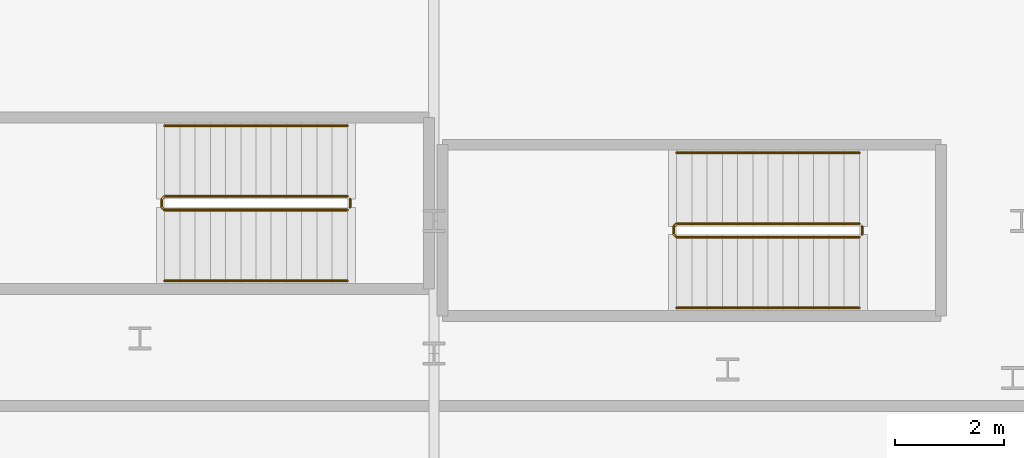
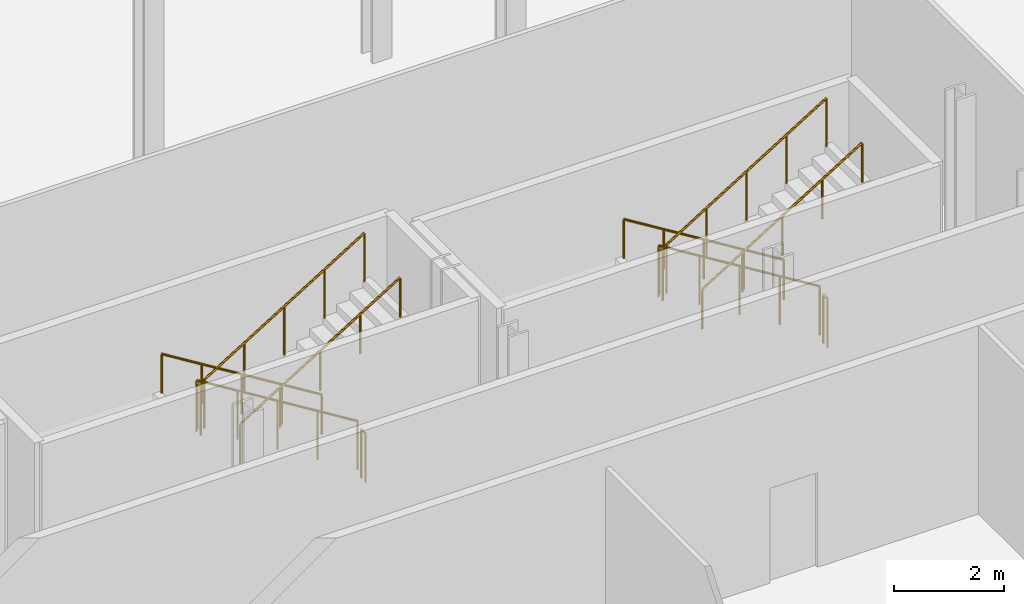
# One storey, part 41 of 47: 8 railings.
"""IFC4 building model written with IfcOpenShell, lengths in metres."""

from ifc_helpers import new_model, si_unit, direction, frame, origin, origin_2d, place, context, subcontext, project, spatial, circle, extrude, material, type_object, element, save


model = new_model("IFC4")

# Units and contexts
model_context = context("Model", 3, precision=1e-05, world=origin(), true_north=direction((0.0, 1.0)))
body_context = subcontext(model_context, "Body", "Model", "MODEL_VIEW")
ifc_project = project(units=[si_unit("LENGTHUNIT", "METRE"), si_unit("AREAUNIT", "SQUARE_METRE"), si_unit("VOLUMEUNIT", "CUBIC_METRE"), si_unit("PLANEANGLEUNIT", "RADIAN"), si_unit("MASSUNIT", "GRAM", prefix="KILO")], contexts=[model_context])

# Site, building, storey
site_placement = place(None, origin())
site = spatial("IfcSite", under=ifc_project, at=site_placement, CompositionType="ELEMENT")
building_placement = place(site_placement, origin())
building = spatial("IfcBuilding", under=site, at=building_placement, Name="Kheshtan School and Residences Tower", CompositionType="ELEMENT")
storey_placement = place(building_placement, frame((0.0, 0.0, 17.0)))
storey = spatial("IfcBuildingStorey", under=building, at=storey_placement, Name="L03", CompositionType="ELEMENT", Elevation=17.0)

# Railings
ifc_material_1 = material(Name="Stainless steel balustrade", Category="steel")
railing_type_1 = type_object("IfcRailingType", Name="Stair guard 1100", PredefinedType="GUARDRAIL", material=ifc_material_1)
railing_1_placement = place(storey_placement, frame((87.820068359375, 23.949951171875, 0.173095703125)))
element("IfcRailing", 1, at=railing_1_placement, inside=storey, type_object=railing_type_1, Name="L03 ST4 stair guard 1", PredefinedType="GUARDRAIL", context=body_context, shape_type="SweptSolid", body=[
    extrude(circle(Radius=0.02392578125, at=origin_2d()), frame((0.0, 0.0, 1.076171875), z_axis=(-0.850623216509, 0.0, 0.525775754039), x_axis=(0.0, -1.0, 0.0)), (0.0, 0.0, 1.0), 3.9501953125),
    extrude(circle(Radius=0.02392578125, at=origin_2d()), frame((-3.360107421875, 0.0, 3.15283203125), z_axis=(-0.707106781187, -0.707106781187, 0.0), x_axis=(0.707106781187, -0.707106781187, 0.0)), (0.0, 0.0, 1.0), 0.07080078125),
    extrude(circle(Radius=0.02392578125, at=origin_2d()), frame((-3.41015625, -0.050048828125, 3.15283203125), z_axis=(0.0, -1.0, 0.0), x_axis=(1.0, 0.0, 0.0)), (0.0, 0.0, 1.0), 0.14990234375),
    extrude(circle(Radius=0.02392578125, at=origin_2d()), frame((-3.41015625, -0.199951171875, 3.15283203125), z_axis=(0.267629722418, -0.267629722418, 0.925607186314), x_axis=(0.707106781187, 0.707106781187, 0.0)), (0.0, 0.0, 1.0), 0.18701171875),
    extrude(circle(Radius=0.02392578125, at=origin_2d()), frame((-3.360107421875, -0.25, 3.326171875), z_axis=(0.850623216509, 0.0, 0.525775754039), x_axis=(0.0, 1.0, 0.0)), (0.0, 0.0, 1.0), 3.9501953125),
    extrude(circle(Radius=0.02099609375, at=origin_2d()), origin(), (0.0, 0.0, 1.0), 1.052001953125),
    extrude(circle(Radius=0.02099609375, at=origin_2d()), frame((-0.840087890625, 0.0, 0.519287109375)), (0.0, 0.0, 1.0), 1.052001953125),
    extrude(circle(Radius=0.02099609375, at=origin_2d()), frame((-1.68017578125, 0.0, 1.03857421875)), (0.0, 0.0, 1.0), 1.052001953125),
    extrude(circle(Radius=0.02099609375, at=origin_2d()), frame((-2.52001953125, 0.0, 1.5576171875)), (0.0, 0.0, 1.0), 1.052001953125),
    extrude(circle(Radius=0.02099609375, at=origin_2d()), frame((-3.360107421875, 0.0, 2.076904296875)), (0.0, 0.0, 1.0), 1.052001953125),
    extrude(circle(Radius=0.02099609375, at=origin_2d()), frame((-3.41015625, -0.050048828125, 2.076904296875)), (0.0, 0.0, 1.0), 1.052001953125),
    extrude(circle(Radius=0.02099609375, at=origin_2d()), frame((-3.41015625, -0.199951171875, 2.076904296875)), (0.0, 0.0, 1.0), 1.052001953125),
    extrude(circle(Radius=0.02099609375, at=origin_2d()), frame((-3.360107421875, -0.25, 2.25)), (0.0, 0.0, 1.0), 1.052001953125),
    extrude(circle(Radius=0.02099609375, at=origin_2d()), frame((-2.52001953125, -0.25, 2.769287109375)), (0.0, 0.0, 1.0), 1.052001953125),
    extrude(circle(Radius=0.02099609375, at=origin_2d()), frame((-1.68017578125, -0.25, 3.28857421875)), (0.0, 0.0, 1.0), 1.052001953125),
    extrude(circle(Radius=0.02099609375, at=origin_2d()), frame((-0.840087890625, -0.25, 3.8076171875)), (0.0, 0.0, 1.0), 1.052001953125),
    extrude(circle(Radius=0.02099609375, at=origin_2d()), frame((0.0, -0.25, 4.326904296875)), (0.0, 0.0, 1.0), 1.052001953125),
])
railing_2_placement = place(storey_placement, frame((87.8701171875, 23.89990234375, 0.0)))
element("IfcRailing", 2, at=railing_2_placement, inside=storey, type_object=railing_type_1, Name="L03 ST4 stair guard 2", PredefinedType="GUARDRAIL", context=body_context, shape_type="SweptSolid", body=[
    extrude(circle(Radius=0.02392578125, at=origin_2d()), frame((0.0, 0.0, 1.076171875), z_axis=(0.0, -1.0, 0.0), x_axis=(1.0, 0.0, 0.0)), (0.0, 0.0, 1.0), 0.14990234375),
    extrude(circle(Radius=0.02099609375, at=origin_2d()), origin(), (0.0, 0.0, 1.0), 1.052001953125),
    extrude(circle(Radius=0.02099609375, at=origin_2d()), frame((0.0, -0.14990234375, 0.0)), (0.0, 0.0, 1.0), 1.052001953125),
])
railing_3_placement = place(storey_placement, frame((78.409912109375, 24.449951171875, 0.173095703125)))
element("IfcRailing", 3, at=railing_3_placement, inside=storey, type_object=railing_type_1, Name="L03 ST5 stair guard 1", PredefinedType="GUARDRAIL", context=body_context, shape_type="SweptSolid", body=[
    extrude(circle(Radius=0.02392578125, at=origin_2d()), frame((0.0, 0.0, 1.076171875), z_axis=(-0.850606129759, 0.0, 0.525803396734), x_axis=(0.0, -1.0, 0.0)), (0.0, 0.0, 1.0), 3.949951171875),
    extrude(circle(Radius=0.02392578125, at=origin_2d()), frame((-3.35986328125, 0.0, 3.15283203125), z_axis=(-0.707106781187, -0.707106781187, 0.0), x_axis=(0.707106781187, -0.707106781187, 0.0)), (0.0, 0.0, 1.0), 0.07080078125),
    extrude(circle(Radius=0.02392578125, at=origin_2d()), frame((-3.409912109375, -0.050048828125, 3.15283203125), z_axis=(0.0, -1.0, 0.0), x_axis=(1.0, 0.0, 0.0)), (0.0, 0.0, 1.0), 0.14990234375),
    extrude(circle(Radius=0.02392578125, at=origin_2d()), frame((-3.409912109375, -0.199951171875, 3.15283203125), z_axis=(0.267629722418, -0.267629722418, 0.925607186314), x_axis=(0.707106781187, 0.707106781187, 0.0)), (0.0, 0.0, 1.0), 0.18701171875),
    extrude(circle(Radius=0.02392578125, at=origin_2d()), frame((-3.35986328125, -0.25, 3.326171875), z_axis=(0.850606129759, 0.0, 0.525803396734), x_axis=(0.0, 1.0, 0.0)), (0.0, 0.0, 1.0), 3.949951171875),
    extrude(circle(Radius=0.02099609375, at=origin_2d()), origin(), (0.0, 0.0, 1.0), 1.052001953125),
    extrude(circle(Radius=0.02099609375, at=origin_2d()), frame((-0.83984375, 0.0, 0.519287109375)), (0.0, 0.0, 1.0), 1.052001953125),
    extrude(circle(Radius=0.02099609375, at=origin_2d()), frame((-1.679931640625, 0.0, 1.03857421875)), (0.0, 0.0, 1.0), 1.052001953125),
    extrude(circle(Radius=0.02099609375, at=origin_2d()), frame((-2.52001953125, 0.0, 1.5576171875)), (0.0, 0.0, 1.0), 1.052001953125),
    extrude(circle(Radius=0.02099609375, at=origin_2d()), frame((-3.35986328125, 0.0, 2.076904296875)), (0.0, 0.0, 1.0), 1.052001953125),
    extrude(circle(Radius=0.02099609375, at=origin_2d()), frame((-3.409912109375, -0.050048828125, 2.076904296875)), (0.0, 0.0, 1.0), 1.052001953125),
    extrude(circle(Radius=0.02099609375, at=origin_2d()), frame((-3.409912109375, -0.199951171875, 2.076904296875)), (0.0, 0.0, 1.0), 1.052001953125),
    extrude(circle(Radius=0.02099609375, at=origin_2d()), frame((-3.35986328125, -0.25, 2.25)), (0.0, 0.0, 1.0), 1.052001953125),
    extrude(circle(Radius=0.02099609375, at=origin_2d()), frame((-2.52001953125, -0.25, 2.769287109375)), (0.0, 0.0, 1.0), 1.052001953125),
    extrude(circle(Radius=0.02099609375, at=origin_2d()), frame((-1.679931640625, -0.25, 3.28857421875)), (0.0, 0.0, 1.0), 1.052001953125),
    extrude(circle(Radius=0.02099609375, at=origin_2d()), frame((-0.83984375, -0.25, 3.8076171875)), (0.0, 0.0, 1.0), 1.052001953125),
    extrude(circle(Radius=0.02099609375, at=origin_2d()), frame((0.0, -0.25, 4.326904296875)), (0.0, 0.0, 1.0), 1.052001953125),
])
railing_4_placement = place(storey_placement, frame((78.4599609375, 24.39990234375, 0.0)))
element("IfcRailing", 4, at=railing_4_placement, inside=storey, type_object=railing_type_1, Name="L03 ST5 stair guard 2", PredefinedType="GUARDRAIL", context=body_context, shape_type="SweptSolid", body=[
    extrude(circle(Radius=0.02392578125, at=origin_2d()), frame((0.0, 0.0, 1.076171875), z_axis=(0.0, -1.0, 0.0), x_axis=(1.0, 0.0, 0.0)), (0.0, 0.0, 1.0), 0.14990234375),
    extrude(circle(Radius=0.02099609375, at=origin_2d()), origin(), (0.0, 0.0, 1.0), 1.052001953125),
    extrude(circle(Radius=0.02099609375, at=origin_2d()), frame((0.0, -0.14990234375, 0.0)), (0.0, 0.0, 1.0), 1.052001953125),
])
ifc_material_2 = material(Name="Stainless steel handrail", Category="steel")
railing_type_2 = type_object("IfcRailingType", Name="Stair handrail 900", PredefinedType="HANDRAIL", material=ifc_material_2)
railing_5_placement = place(storey_placement, frame((87.820068359375, 25.25, 0.173095703125)))
element("IfcRailing", 5, at=railing_5_placement, inside=storey, type_object=railing_type_2, Name="L03 ST4 stair handrail 1", PredefinedType="HANDRAIL", context=body_context, shape_type="SweptSolid", body=[
    extrude(circle(Radius=0.02392578125, at=origin_2d()), frame((0.0, 0.0, 0.8759765625), z_axis=(-0.850623216509, 0.0, 0.525775754039), x_axis=(0.0, -1.0, 0.0)), (0.0, 0.0, 1.0), 3.9501953125),
    extrude(circle(Radius=0.02099609375, at=origin_2d()), origin(), (0.0, 0.0, 1.0), 0.851806640625),
    extrude(circle(Radius=0.02099609375, at=origin_2d()), frame((-0.840087890625, 0.0, 0.519287109375)), (0.0, 0.0, 1.0), 0.851806640625),
    extrude(circle(Radius=0.02099609375, at=origin_2d()), frame((-1.68017578125, 0.0, 1.03857421875)), (0.0, 0.0, 1.0), 0.851806640625),
    extrude(circle(Radius=0.02099609375, at=origin_2d()), frame((-2.52001953125, 0.0, 1.5576171875)), (0.0, 0.0, 1.0), 0.851806640625),
    extrude(circle(Radius=0.02099609375, at=origin_2d()), frame((-3.360107421875, 0.0, 2.076904296875)), (0.0, 0.0, 1.0), 0.851806640625),
])
railing_6_placement = place(storey_placement, frame((84.4599609375, 22.39990234375, 2.423095703125)))
element("IfcRailing", 6, at=railing_6_placement, inside=storey, type_object=railing_type_2, Name="L03 ST4 stair handrail 2", PredefinedType="HANDRAIL", context=body_context, shape_type="SweptSolid", body=[
    extrude(circle(Radius=0.02392578125, at=origin_2d()), frame((0.0, 0.0, 0.8759765625), z_axis=(0.850623216509, 0.0, 0.525775754039), x_axis=(0.0, 1.0, 0.0)), (0.0, 0.0, 1.0), 3.9501953125),
    extrude(circle(Radius=0.02099609375, at=origin_2d()), origin(), (0.0, 0.0, 1.0), 0.851806640625),
    extrude(circle(Radius=0.02099609375, at=origin_2d()), frame((0.840087890625, 0.0, 0.519287109375)), (0.0, 0.0, 1.0), 0.851806640625),
    extrude(circle(Radius=0.02099609375, at=origin_2d()), frame((1.68017578125, 0.0, 1.03857421875)), (0.0, 0.0, 1.0), 0.851806640625),
    extrude(circle(Radius=0.02099609375, at=origin_2d()), frame((2.52001953125, 0.0, 1.5576171875)), (0.0, 0.0, 1.0), 0.851806640625),
    extrude(circle(Radius=0.02099609375, at=origin_2d()), frame((3.360107421875, 0.0, 2.076904296875)), (0.0, 0.0, 1.0), 0.851806640625),
])
railing_7_placement = place(storey_placement, frame((78.409912109375, 25.75, 0.173095703125)))
element("IfcRailing", 7, at=railing_7_placement, inside=storey, type_object=railing_type_2, Name="L03 ST5 stair handrail 1", PredefinedType="HANDRAIL", context=body_context, shape_type="SweptSolid", body=[
    extrude(circle(Radius=0.02392578125, at=origin_2d()), frame((0.0, 0.0, 0.8759765625), z_axis=(-0.850606129759, 0.0, 0.525803396734), x_axis=(0.0, -1.0, 0.0)), (0.0, 0.0, 1.0), 3.949951171875),
    extrude(circle(Radius=0.02099609375, at=origin_2d()), origin(), (0.0, 0.0, 1.0), 0.851806640625),
    extrude(circle(Radius=0.02099609375, at=origin_2d()), frame((-0.83984375, 0.0, 0.519287109375)), (0.0, 0.0, 1.0), 0.851806640625),
    extrude(circle(Radius=0.02099609375, at=origin_2d()), frame((-1.679931640625, 0.0, 1.03857421875)), (0.0, 0.0, 1.0), 0.851806640625),
    extrude(circle(Radius=0.02099609375, at=origin_2d()), frame((-2.52001953125, 0.0, 1.5576171875)), (0.0, 0.0, 1.0), 0.851806640625),
    extrude(circle(Radius=0.02099609375, at=origin_2d()), frame((-3.35986328125, 0.0, 2.076904296875)), (0.0, 0.0, 1.0), 0.851806640625),
])
railing_8_placement = place(storey_placement, frame((75.050048828125, 22.89990234375, 2.423095703125)))
element("IfcRailing", 8, at=railing_8_placement, inside=storey, type_object=railing_type_2, Name="L03 ST5 stair handrail 2", PredefinedType="HANDRAIL", context=body_context, shape_type="SweptSolid", body=[
    extrude(circle(Radius=0.02392578125, at=origin_2d()), frame((0.0, 0.0, 0.8759765625), z_axis=(0.850606129759, 0.0, 0.525803396734), x_axis=(0.0, 1.0, 0.0)), (0.0, 0.0, 1.0), 3.949951171875),
    extrude(circle(Radius=0.02099609375, at=origin_2d()), origin(), (0.0, 0.0, 1.0), 0.851806640625),
    extrude(circle(Radius=0.02099609375, at=origin_2d()), frame((0.83984375, 0.0, 0.519287109375)), (0.0, 0.0, 1.0), 0.851806640625),
    extrude(circle(Radius=0.02099609375, at=origin_2d()), frame((1.679931640625, 0.0, 1.03857421875)), (0.0, 0.0, 1.0), 0.851806640625),
    extrude(circle(Radius=0.02099609375, at=origin_2d()), frame((2.52001953125, 0.0, 1.5576171875)), (0.0, 0.0, 1.0), 0.851806640625),
    extrude(circle(Radius=0.02099609375, at=origin_2d()), frame((3.35986328125, 0.0, 2.076904296875)), (0.0, 0.0, 1.0), 0.851806640625),
])

save(model, "model.ifc")
